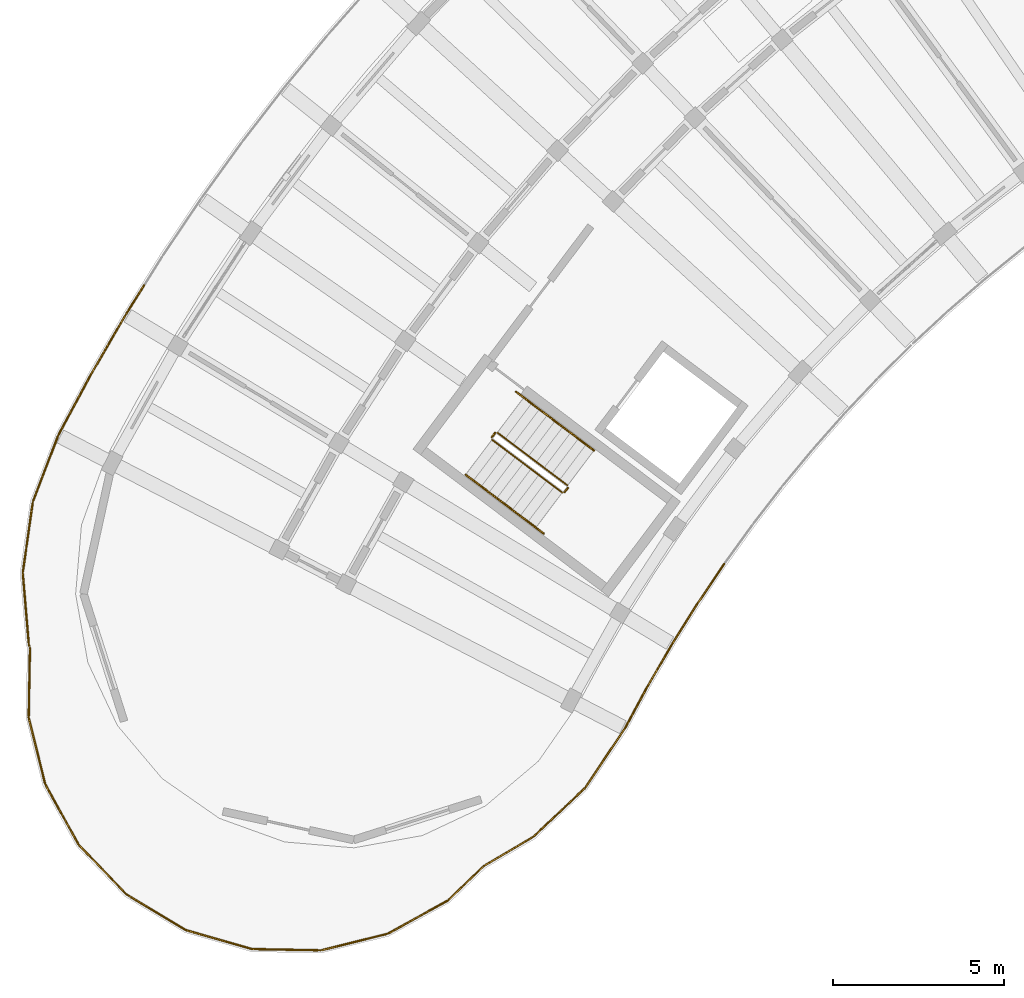
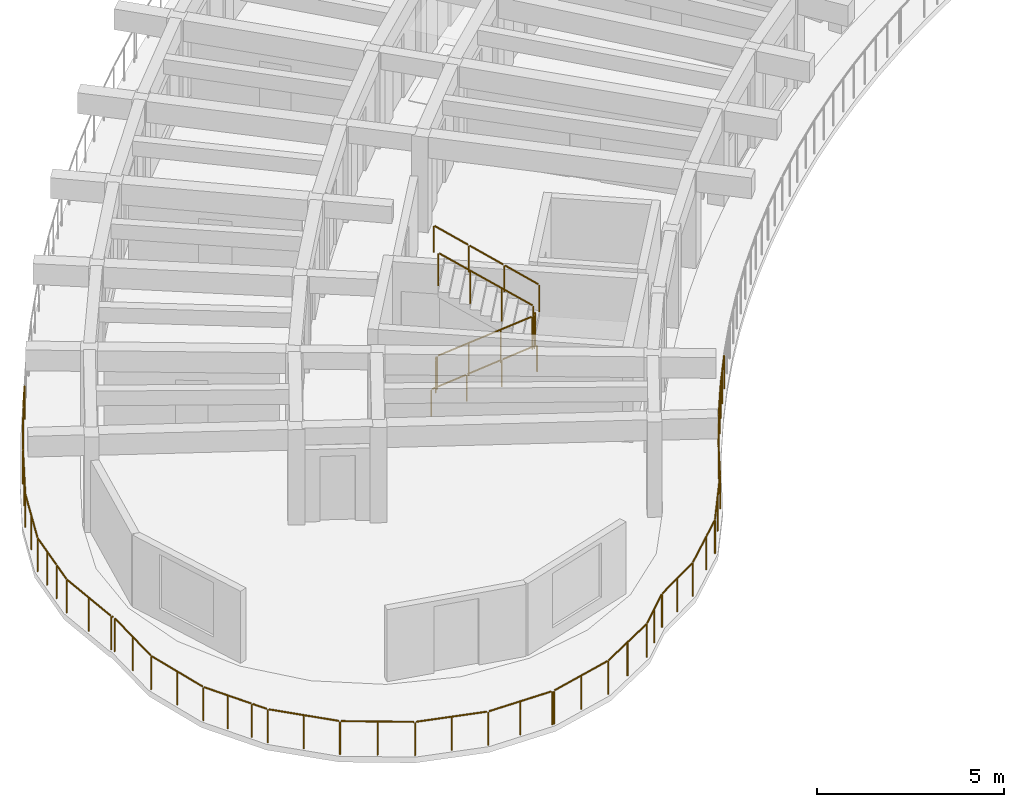
# One storey, part 15 of 19: 15 railings.
"""IFC4 building model written with IfcOpenShell, lengths in metres."""

from ifc_helpers import new_model, si_unit, direction, frame, origin, origin_2d, place, context, subcontext, project, spatial, circle, extrude, material, type_object, element, save


model = new_model("IFC4")

# Units and contexts
model_context = context("Model", 3, precision=1e-05, world=origin(), true_north=direction((0.0, 1.0)))
body_context = subcontext(model_context, "Body", "Model", "MODEL_VIEW")
ifc_project = project(units=[si_unit("LENGTHUNIT", "METRE"), si_unit("AREAUNIT", "SQUARE_METRE"), si_unit("VOLUMEUNIT", "CUBIC_METRE"), si_unit("PLANEANGLEUNIT", "RADIAN"), si_unit("MASSUNIT", "GRAM", prefix="KILO")], contexts=[model_context])

# Site, building, storey
site_placement = place(None, origin())
site = spatial("IfcSite", under=ifc_project, at=site_placement, CompositionType="ELEMENT")
building_placement = place(site_placement, origin())
building = spatial("IfcBuilding", under=site, at=building_placement, Name="Tanwirah Colonnade Gardens", CompositionType="ELEMENT")
storey_placement = place(building_placement, frame((0.0, 0.0, 45.800048828125)))
storey = spatial("IfcBuildingStorey", under=building, at=storey_placement, Name="L13", CompositionType="ELEMENT", Elevation=45.800048828125)

# Railings
ifc_material_1 = material(Name="Precast concrete C40/50", Category="concrete")
railing_type_1 = type_object("IfcRailingType", Name="BAL-EXT112", PredefinedType="BALUSTRADE", material=ifc_material_1)
railing_1_placement = place(storey_placement, frame((29.98291015625, 84.60009765625, 0.0)))
element("IfcRailing", 1, at=railing_1_placement, inside=storey, type_object=railing_type_1, Name="Block A L13 Balcony Ribbon Balustrade 5", PredefinedType="BALUSTRADE", context=body_context, shape_type="SweptSolid", body=[
    extrude(circle(Radius=0.02392578125, at=origin_2d()), frame((-0.017578125, -0.02587890625, 1.09619140625), z_axis=(-0.558381014999, -0.82958462021, 0.0), x_axis=(0.82958462021, -0.558381014999, 0.0)), (0.0, 0.0, 1.0), 1.328369140625),
    extrude(circle(Radius=0.02392578125, at=origin_2d()), frame((-0.794677734375, -1.1826171875, 1.09619140625), z_axis=(-0.530764445851, -0.847519382091, 0.0), x_axis=(0.847519382091, -0.530764445851, 0.0)), (0.0, 0.0, 1.0), 1.341796875),
    extrude(circle(Radius=0.02392578125, at=origin_2d()), frame((-1.54052734375, -2.37548828125, 1.09619140625), z_axis=(-0.502378729104, -0.864647681165, 0.0), x_axis=(0.864647681165, -0.502378729104, 0.0)), (0.0, 0.0, 1.0), 1.342041015625),
    extrude(circle(Radius=0.02392578125, at=origin_2d()), frame((-2.24658203125, -3.592529296875, 1.09619140625), z_axis=(-0.47378794551, -0.880638962736, 0.0), x_axis=(0.880638962736, -0.47378794551, 0.0)), (0.0, 0.0, 1.0), 1.338134765625),
    extrude(circle(Radius=0.02392578125, at=origin_2d()), frame((-2.91259765625, -4.82421875, 1.09619140625), z_axis=(-0.555723141741, -0.831367421622, 0.0), x_axis=(0.831367421622, -0.555723141741, 0.0)), (0.0, 0.0, 1.0), 2.029541015625),
    extrude(circle(Radius=0.02392578125, at=origin_2d()), frame((-4.08056640625, -6.55908203125, 1.09619140625), z_axis=(-0.726962368553, -0.686677300271, 0.0), x_axis=(0.686677300271, -0.726962368553, 0.0)), (0.0, 0.0, 1.0), 0.737548828125),
    extrude(circle(Radius=0.02099609375, at=origin_2d()), origin(), (0.0, 0.0, 1.0), 1.069091796875),
    extrude(circle(Radius=0.02099609375, at=origin_2d()), frame((-0.38818359375, -0.576904296875, 0.0)), (0.0, 0.0, 1.0), 1.069091796875),
    extrude(circle(Radius=0.02099609375, at=origin_2d()), frame((-0.776611328125, -1.15380859375, 0.0)), (0.0, 0.0, 1.0), 1.069091796875),
    extrude(circle(Radius=0.02099609375, at=origin_2d()), frame((-1.15087890625, -1.7509765625, 0.0)), (0.0, 0.0, 1.0), 1.069091796875),
    extrude(circle(Radius=0.02099609375, at=origin_2d()), frame((-1.5234375, -2.34619140625, 0.0)), (0.0, 0.0, 1.0), 1.069091796875),
    extrude(circle(Radius=0.02099609375, at=origin_2d()), frame((-1.877685546875, -2.95556640625, 0.0)), (0.0, 0.0, 1.0), 1.069091796875),
    extrude(circle(Radius=0.02099609375, at=origin_2d()), frame((-2.23046875, -3.562744140625, 0.0)), (0.0, 0.0, 1.0), 1.069091796875),
    extrude(circle(Radius=0.02099609375, at=origin_2d()), frame((-2.5634765625, -4.181640625, 0.0)), (0.0, 0.0, 1.0), 1.069091796875),
    extrude(circle(Radius=0.02099609375, at=origin_2d()), frame((-2.895263671875, -4.79833984375, 0.0)), (0.0, 0.0, 1.0), 1.069091796875),
    extrude(circle(Radius=0.02099609375, at=origin_2d()), frame((-3.4765625, -5.66796875, 0.0)), (0.0, 0.0, 1.0), 1.069091796875),
    extrude(circle(Radius=0.02099609375, at=origin_2d()), frame((-4.057861328125, -6.53759765625, 0.0)), (0.0, 0.0, 1.0), 1.069091796875),
    extrude(circle(Radius=0.02099609375, at=origin_2d()), frame((-4.639404296875, -7.0869140625, 0.0)), (0.0, 0.0, 1.0), 1.069091796875),
])
railing_2_placement = place(storey_placement, frame((25.343505859375, 77.51318359375, 0.0)))
element("IfcRailing", 2, at=railing_2_placement, inside=storey, type_object=railing_type_1, Name="Block A L13 Balcony Ribbon Balustrade 6", PredefinedType="BALUSTRADE", context=body_context, shape_type="SweptSolid", body=[
    extrude(circle(Radius=0.02392578125, at=origin_2d()), frame((-0.022705078125, -0.021484375, 1.09619140625), z_axis=(-0.726744792271, -0.68690756795, 0.0), x_axis=(0.68690756795, -0.726744792271, 0.0)), (0.0, 0.0, 1.0), 1.224365234375),
    extrude(circle(Radius=0.02392578125, at=origin_2d()), frame((-0.962158203125, -0.89990234375, 1.09619140625), z_axis=(-0.86138556566, -0.507951678088, 0.0), x_axis=(0.507951678088, -0.86138556566, 0.0)), (0.0, 0.0, 1.0), 1.609130859375),
    extrude(circle(Radius=0.02392578125, at=origin_2d()), frame((-2.41259765625, -1.76611328125, 1.09619140625), z_axis=(-0.719983739204, -0.693990933141, 0.0), x_axis=(0.693990933141, -0.719983739204, 0.0)), (0.0, 0.0, 1.0), 1.37451171875),
    extrude(circle(Radius=0.02392578125, at=origin_2d()), frame((-3.4521484375, -2.7568359375, 1.09619140625), z_axis=(-0.875070070195, -0.483996252309, 0.0), x_axis=(0.483996252309, -0.875070070195, 0.0)), (0.0, 0.0, 1.0), 1.95263671875),
    extrude(circle(Radius=0.02392578125, at=origin_2d()), frame((-5.218505859375, -3.724609375, 1.09619140625), z_axis=(-0.970533189383, -0.24096748392, 0.0), x_axis=(0.24096748392, -0.970533189383, 0.0)), (0.0, 0.0, 1.0), 1.95263671875),
    extrude(circle(Radius=0.02099609375, at=origin_2d()), origin(), (0.0, 0.0, 1.0), 1.069091796875),
    extrude(circle(Radius=0.02099609375, at=origin_2d()), frame((-0.935302734375, -0.884033203125, 0.0)), (0.0, 0.0, 1.0), 1.069091796875),
    extrude(circle(Radius=0.02099609375, at=origin_2d()), frame((-1.6552734375, -1.30859375, 0.0)), (0.0, 0.0, 1.0), 1.069091796875),
    extrude(circle(Radius=0.02099609375, at=origin_2d()), frame((-2.375244140625, -1.733154296875, 0.0)), (0.0, 0.0, 1.0), 1.069091796875),
    extrude(circle(Radius=0.02099609375, at=origin_2d()), frame((-2.907470703125, -2.2431640625, 0.0)), (0.0, 0.0, 1.0), 1.069091796875),
    extrude(circle(Radius=0.02099609375, at=origin_2d()), frame((-3.4248046875, -2.74169921875, 0.0)), (0.0, 0.0, 1.0), 1.069091796875),
    extrude(circle(Radius=0.02099609375, at=origin_2d()), frame((-4.306640625, -3.2294921875, 0.0)), (0.0, 0.0, 1.0), 1.069091796875),
    extrude(circle(Radius=0.02099609375, at=origin_2d()), frame((-5.188232421875, -3.717041015625, 0.0)), (0.0, 0.0, 1.0), 1.069091796875),
    extrude(circle(Radius=0.02099609375, at=origin_2d()), frame((-6.166015625, -3.9599609375, 0.0)), (0.0, 0.0, 1.0), 1.069091796875),
    extrude(circle(Radius=0.02099609375, at=origin_2d()), frame((-7.14404296875, -4.20263671875, 0.0)), (0.0, 0.0, 1.0), 1.069091796875),
])
railing_3_placement = place(storey_placement, frame((18.14404296875, 73.311767578125, 0.0)))
element("IfcRailing", 3, at=railing_3_placement, inside=storey, type_object=railing_type_1, Name="Block A L13 Balcony Ribbon Balustrade 7", PredefinedType="BALUSTRADE", context=body_context, shape_type="SweptSolid", body=[
    extrude(circle(Radius=0.02392578125, at=origin_2d()), frame((-0.03125, 0.00048828125, 1.09619140625), z_axis=(-0.999832313881, 0.018312403456, 0.0), x_axis=(-0.018312403456, -0.999832313881, 0.0)), (0.0, 0.0, 1.0), 1.897216796875),
    extrude(circle(Radius=0.02392578125, at=origin_2d()), frame((-1.989501953125, 0.04443359375, 1.09619140625), z_axis=(-0.960987222191, 0.276592767053, 0.0), x_axis=(-0.276592767053, -0.960987222191, 0.0)), (0.0, 0.0, 1.0), 1.95263671875),
    extrude(circle(Radius=0.02392578125, at=origin_2d()), frame((-3.9228515625, 0.609375, 1.09619140625), z_axis=(-0.856668704566, 0.515866969883, 0.0), x_axis=(-0.515866969883, -0.856668704566, 0.0)), (0.0, 0.0, 1.0), 1.95263671875),
    extrude(circle(Radius=0.02392578125, at=origin_2d()), frame((-5.64404296875, 1.6552734375, 1.09619140625), z_axis=(-0.693962909965, 0.720010749637, 0.0), x_axis=(-0.720010749637, -0.693962909965, 0.0)), (0.0, 0.0, 1.0), 1.95263671875),
    extrude(circle(Radius=0.02392578125, at=origin_2d()), frame((-7.035888671875, 3.111083984375, 1.09619140625), z_axis=(-0.483755768056, 0.875203037513, 0.0), x_axis=(-0.875203037513, -0.483755768056, 0.0)), (0.0, 0.0, 1.0), 0.43212890625),
    extrude(circle(Radius=0.02099609375, at=origin_2d()), origin(), (0.0, 0.0, 1.0), 1.069091796875),
    extrude(circle(Radius=0.02099609375, at=origin_2d()), frame((-0.979736328125, 0.01806640625, 0.0)), (0.0, 0.0, 1.0), 1.069091796875),
    extrude(circle(Radius=0.02099609375, at=origin_2d()), frame((-1.95947265625, 0.035888671875, 0.0)), (0.0, 0.0, 1.0), 1.069091796875),
    extrude(circle(Radius=0.02099609375, at=origin_2d()), frame((-2.927734375, 0.314453125, 0.0)), (0.0, 0.0, 1.0), 1.069091796875),
    extrude(circle(Radius=0.02099609375, at=origin_2d()), frame((-3.89599609375, 0.59326171875, 0.0)), (0.0, 0.0, 1.0), 1.069091796875),
    extrude(circle(Radius=0.02099609375, at=origin_2d()), frame((-4.75927734375, 1.113037109375, 0.0)), (0.0, 0.0, 1.0), 1.069091796875),
    extrude(circle(Radius=0.02099609375, at=origin_2d()), frame((-5.622314453125, 1.6328125, 0.0)), (0.0, 0.0, 1.0), 1.069091796875),
    extrude(circle(Radius=0.02099609375, at=origin_2d()), frame((-6.321533203125, 2.3583984375, 0.0)), (0.0, 0.0, 1.0), 1.069091796875),
    extrude(circle(Radius=0.02099609375, at=origin_2d()), frame((-7.020751953125, 3.083740234375, 0.0)), (0.0, 0.0, 1.0), 1.069091796875),
    extrude(circle(Radius=0.02099609375, at=origin_2d()), frame((-7.260009765625, 3.5166015625, 0.0)), (0.0, 0.0, 1.0), 1.069091796875),
])
railing_4_placement = place(storey_placement, frame((10.884033203125, 76.828369140625, 0.0)))
element("IfcRailing", 4, at=railing_4_placement, inside=storey, type_object=railing_type_1, Name="Block A L13 Balcony Ribbon Balustrade 8", PredefinedType="BALUSTRADE", context=body_context, shape_type="SweptSolid", body=[
    extrude(circle(Radius=0.02392578125, at=origin_2d()), frame((-0.01513671875, 0.02734375, 1.09619140625), z_axis=(-0.483951516206, 0.875094811984, 0.0), x_axis=(-0.875094811984, -0.483951516206, 0.0)), (0.0, 0.0, 1.0), 1.4580078125),
    extrude(circle(Radius=0.02392578125, at=origin_2d()), frame((-0.743408203125, 1.36083984375, 1.09619140625), z_axis=(-0.241081594371, 0.970504850506, 0.0), x_axis=(-0.970504850506, -0.241081594371, 0.0)), (0.0, 0.0, 1.0), 1.95263671875),
    extrude(circle(Radius=0.02392578125, at=origin_2d()), frame((-1.22119140625, 3.317626953125, 1.09619140625), z_axis=(0.018463961082, 0.99982952654, 0.0), x_axis=(-0.99982952654, 0.018463961082, 0.0)), (0.0, 0.0, 1.0), 1.96044921875),
    extrude(circle(Radius=0.02392578125, at=origin_2d()), frame((-1.197509765625, 5.364501953125, 1.09619140625), z_axis=(-0.303302230784, 0.952894410101, 0.0), x_axis=(-0.952894410101, -0.303302230784, 0.0)), (0.0, 0.0, 1.0), 0.039794921875),
    extrude(circle(Radius=0.02392578125, at=origin_2d()), frame((-1.2216796875, 5.46337890625, 1.09619140625), z_axis=(-0.08387805951, 0.996476026371, 0.0), x_axis=(-0.996476026371, -0.08387805951, 0.0)), (0.0, 0.0, 1.0), 2.0244140625),
    extrude(circle(Radius=0.02392578125, at=origin_2d()), frame((-1.3896484375, 7.542724609375, 1.09619140625), z_axis=(0.140197462175, 0.990123563804, 0.0), x_axis=(-0.990123563804, 0.140197462175, 0.0)), (0.0, 0.0, 1.0), 0.66357421875),
    extrude(circle(Radius=0.02099609375, at=origin_2d()), origin(), (0.0, 0.0, 1.0), 1.069091796875),
    extrude(circle(Radius=0.02099609375, at=origin_2d()), frame((-0.367919921875, 0.665283203125, 0.0)), (0.0, 0.0, 1.0), 1.069091796875),
    extrude(circle(Radius=0.02099609375, at=origin_2d()), frame((-0.73583984375, 1.33056640625, 0.0)), (0.0, 0.0, 1.0), 1.069091796875),
    extrude(circle(Radius=0.02099609375, at=origin_2d()), frame((-0.978759765625, 2.30859375, 0.0)), (0.0, 0.0, 1.0), 1.069091796875),
    extrude(circle(Radius=0.02099609375, at=origin_2d()), frame((-1.2216796875, 3.286376953125, 0.0)), (0.0, 0.0, 1.0), 1.069091796875),
    extrude(circle(Radius=0.02099609375, at=origin_2d()), frame((-1.203125, 4.2978515625, 0.0)), (0.0, 0.0, 1.0), 1.069091796875),
    extrude(circle(Radius=0.02099609375, at=origin_2d()), frame((-1.184326171875, 5.30908203125, 0.0)), (0.0, 0.0, 1.0), 1.069091796875),
    extrude(circle(Radius=0.02099609375, at=origin_2d()), frame((-1.218994140625, 5.43212890625, 0.0)), (0.0, 0.0, 1.0), 1.069091796875),
    extrude(circle(Radius=0.02099609375, at=origin_2d()), frame((-1.306640625, 6.471923828125, 0.0)), (0.0, 0.0, 1.0), 1.069091796875),
    extrude(circle(Radius=0.02099609375, at=origin_2d()), frame((-1.39404296875, 7.51171875, 0.0)), (0.0, 0.0, 1.0), 1.069091796875),
    extrude(circle(Radius=0.02099609375, at=origin_2d()), frame((-1.292236328125, 8.230712890625, 0.0)), (0.0, 0.0, 1.0), 1.069091796875),
])
railing_5_placement = place(storey_placement, frame((9.591796875, 85.05908203125, 0.0)))
element("IfcRailing", 5, at=railing_5_placement, inside=storey, type_object=railing_type_1, Name="Block A L13 Balcony Ribbon Balustrade 9", PredefinedType="BALUSTRADE", context=body_context, shape_type="SweptSolid", body=[
    extrude(circle(Radius=0.02392578125, at=origin_2d()), frame((0.00439453125, 0.031005859375, 1.09619140625), z_axis=(0.139964140462, 0.990156573166, 0.0), x_axis=(-0.990156573166, 0.139964140462, 0.0)), (0.0, 0.0, 1.0), 1.298095703125),
    extrude(circle(Radius=0.02392578125, at=origin_2d()), frame((0.20166015625, 1.37646484375, 1.09619140625), z_axis=(0.356747891144, 0.934200696941, 0.0), x_axis=(-0.934200696941, 0.356747891144, 0.0)), (0.0, 0.0, 1.0), 2.028076171875),
    extrude(circle(Radius=0.02392578125, at=origin_2d()), frame((0.951171875, 3.327880859375, 1.09619140625), z_axis=(0.473825613397, 0.880618696196, 0.0), x_axis=(-0.880618696196, 0.473825613397, 0.0)), (0.0, 0.0, 1.0), 1.955322265625),
    extrude(circle(Radius=0.02392578125, at=origin_2d()), frame((1.907958984375, 5.104248046875, 1.09619140625), z_axis=(0.502421024862, 0.864623105045, 0.0), x_axis=(-0.864623105045, 0.502421024862, 0.0)), (0.0, 0.0, 1.0), 1.958984375),
    extrude(circle(Radius=0.02392578125, at=origin_2d()), frame((2.924560546875, 6.8515625, 1.09619140625), z_axis=(0.530759457963, 0.847522505768, 0.0), x_axis=(-0.847522505768, 0.530759457963, 0.0)), (0.0, 0.0, 1.0), 0.947021484375),
    extrude(circle(Radius=0.02099609375, at=origin_2d()), origin(), (0.0, 0.0, 1.0), 1.069091796875),
    extrude(circle(Radius=0.02099609375, at=origin_2d()), frame((0.09521484375, 0.673583984375, 0.0)), (0.0, 0.0, 1.0), 1.069091796875),
    extrude(circle(Radius=0.02099609375, at=origin_2d()), frame((0.1904296875, 1.34716796875, 0.0)), (0.0, 0.0, 1.0), 1.069091796875),
    extrude(circle(Radius=0.02099609375, at=origin_2d()), frame((0.5634765625, 2.32373046875, 0.0)), (0.0, 0.0, 1.0), 1.069091796875),
    extrude(circle(Radius=0.02099609375, at=origin_2d()), frame((0.936279296875, 3.30029296875, 0.0)), (0.0, 0.0, 1.0), 1.069091796875),
    extrude(circle(Radius=0.02099609375, at=origin_2d()), frame((1.414306640625, 4.188720703125, 0.0)), (0.0, 0.0, 1.0), 1.069091796875),
    extrude(circle(Radius=0.02099609375, at=origin_2d()), frame((1.892333984375, 5.0771484375, 0.0)), (0.0, 0.0, 1.0), 1.069091796875),
    extrude(circle(Radius=0.02099609375, at=origin_2d()), frame((2.400146484375, 5.951171875, 0.0)), (0.0, 0.0, 1.0), 1.069091796875),
    extrude(circle(Radius=0.02099609375, at=origin_2d()), frame((2.907958984375, 6.824951171875, 0.0)), (0.0, 0.0, 1.0), 1.069091796875),
    extrude(circle(Radius=0.02099609375, at=origin_2d()), frame((3.44384765625, 7.6806640625, 0.0)), (0.0, 0.0, 1.0), 1.069091796875),
])
ifc_material_2 = material(Name="Powder-coated galvanized steel", Category="steel")
railing_type_2 = type_object("IfcRailingType", Name="GRD-ST110", PredefinedType="GUARDRAIL", material=ifc_material_2)
railing_6_placement = place(storey_placement, frame((23.201416015625, 88.22900390625, 0.16796875)))
element("IfcRailing", 6, at=railing_6_placement, inside=storey, type_object=railing_type_2, Name="L13 ST-A2 stair guard 1", PredefinedType="GUARDRAIL", context=body_context, shape_type="SweptSolid", body=[
    extrude(circle(Radius=0.02392578125, at=origin_2d()), frame((0.021484375, -0.01611328125, 1.092041015625), z_axis=(0.688012363654, -0.518448596756, 0.507789365762), x_axis=(0.601810650199, 0.798638805285, 0.0)), (0.0, 0.0, 1.0), 2.9150390625),
    extrude(circle(Radius=0.02099609375, at=origin_2d()), origin(), (0.0, 0.0, 1.0), 1.049072265625),
    extrude(circle(Radius=0.02099609375, at=origin_2d()), frame((0.682861328125, -0.5146484375, 0.50390625)), (0.0, 0.0, 1.0), 1.049072265625),
    extrude(circle(Radius=0.02099609375, at=origin_2d()), frame((1.36572265625, -1.029052734375, 1.008056640625)), (0.0, 0.0, 1.0), 1.049072265625),
    extrude(circle(Radius=0.02099609375, at=origin_2d()), frame((2.048583984375, -1.543701171875, 1.511962890625)), (0.0, 0.0, 1.0), 1.049072265625),
])
railing_7_placement = place(storey_placement, frame((25.320068359375, 86.695068359375, 1.679931640625)))
element("IfcRailing", 7, at=railing_7_placement, inside=storey, type_object=railing_type_2, Name="L13 ST-A2 stair guard 2", PredefinedType="GUARDRAIL", context=body_context, shape_type="SweptSolid", body=[
    extrude(circle(Radius=0.02392578125, at=origin_2d()), frame((0.018798828125, 0.02490234375, 1.076171875), z_axis=(0.600975757569, 0.799267251183, 0.0), x_axis=(-0.799267251183, 0.600975757569, 0.0)), (0.0, 0.0, 1.0), 0.09765625),
    extrude(circle(Radius=0.02099609375, at=origin_2d()), origin(), (0.0, 0.0, 1.0), 1.049072265625),
    extrude(circle(Radius=0.02099609375, at=origin_2d()), frame((0.09619140625, 0.1279296875, 0.0)), (0.0, 0.0, 1.0), 1.049072265625),
])
railing_8_placement = place(storey_placement, frame((25.406494140625, 86.89306640625, 1.847900390625)))
element("IfcRailing", 8, at=railing_8_placement, inside=storey, type_object=railing_type_2, Name="L13 ST-A2 stair guard 3", PredefinedType="GUARDRAIL", context=body_context, shape_type="SweptSolid", body=[
    extrude(circle(Radius=0.02392578125, at=origin_2d()), frame((-0.021484375, 0.01611328125, 1.092041015625), z_axis=(-0.688041610417, 0.518388637952, 0.507810951414), x_axis=(-0.60174993816, -0.798684550949, 0.0)), (0.0, 0.0, 1.0), 2.914794921875),
    extrude(circle(Radius=0.02099609375, at=origin_2d()), origin(), (0.0, 0.0, 1.0), 1.049072265625),
    extrude(circle(Radius=0.02099609375, at=origin_2d()), frame((-0.682861328125, 0.514404296875, 0.50390625)), (0.0, 0.0, 1.0), 1.049072265625),
    extrude(circle(Radius=0.02099609375, at=origin_2d()), frame((-1.36572265625, 1.029052734375, 1.008056640625)), (0.0, 0.0, 1.0), 1.049072265625),
    extrude(circle(Radius=0.02099609375, at=origin_2d()), frame((-2.048583984375, 1.54345703125, 1.511962890625)), (0.0, 0.0, 1.0), 1.049072265625),
])
railing_9_placement = place(storey_placement, frame((23.191650390625, 88.299072265625, 0.0)))
element("IfcRailing", 9, at=railing_9_placement, inside=storey, type_object=railing_type_2, Name="L13 ST-A2 stair guard 4", PredefinedType="GUARDRAIL", context=body_context, shape_type="SweptSolid", body=[
    extrude(circle(Radius=0.02392578125, at=origin_2d()), frame((0.018798828125, 0.02490234375, 1.076171875), z_axis=(0.602681987584, 0.797981467104, 0.0), x_axis=(-0.797981467104, 0.602681987584, 0.0)), (0.0, 0.0, 1.0), 0.097412109375),
    extrude(circle(Radius=0.02099609375, at=origin_2d()), origin(), (0.0, 0.0, 1.0), 1.049072265625),
    extrude(circle(Radius=0.02099609375, at=origin_2d()), frame((0.096435546875, 0.127685546875, 0.0)), (0.0, 0.0, 1.0), 1.049072265625),
])
ifc_material_3 = material(Name="Brushed bronze stainless steel", Category="steel")
railing_type_3 = type_object("IfcRailingType", Name="HR-ST090", PredefinedType="HANDRAIL", material=ifc_material_3)
railing_10_placement = place(storey_placement, frame((22.43115234375, 87.206787109375, 0.16796875)))
element("IfcRailing", 10, at=railing_10_placement, inside=storey, type_object=railing_type_3, Name="L13 ST-A2 stair handrail 1", PredefinedType="HANDRAIL", context=body_context, shape_type="SweptSolid", body=[
    extrude(circle(Radius=0.02392578125, at=origin_2d()), frame((0.021484375, -0.01611328125, 0.891845703125), z_axis=(0.686145346169, -0.517037451972, 0.51173903231), x_axis=(0.601807485929, 0.798641189696, 0.0)), (0.0, 0.0, 1.0), 1.04345703125),
    extrude(circle(Radius=0.02099609375, at=origin_2d()), origin(), (0.0, 0.0, 1.0), 0.848876953125),
    extrude(circle(Radius=0.02099609375, at=origin_2d()), frame((0.7587890625, -0.57177734375, 0.56591796875)), (0.0, 0.0, 1.0), 0.848876953125),
])
railing_11_placement = place(storey_placement, frame((23.18994140625, 86.635009765625, 0.73388671875)))
element("IfcRailing", 11, at=railing_11_placement, inside=storey, type_object=railing_type_3, Name="L13 ST-A2 stair handrail 2", PredefinedType="HANDRAIL", context=body_context, shape_type="SweptSolid", body=[
    extrude(circle(Radius=0.02392578125, at=origin_2d()), frame((0.021484375, -0.01611328125, 0.891845703125), z_axis=(0.686067825084, -0.516979036791, 0.511901958292), x_axis=(0.601807485929, 0.798641189696, 0.0)), (0.0, 0.0, 1.0), 1.04345703125),
    extrude(circle(Radius=0.02099609375, at=origin_2d()), origin(), (0.0, 0.0, 1.0), 0.848876953125),
    extrude(circle(Radius=0.02099609375, at=origin_2d()), frame((0.7587890625, -0.57177734375, 0.566162109375)), (0.0, 0.0, 1.0), 0.848876953125),
])
railing_12_placement = place(storey_placement, frame((23.94873046875, 86.063232421875, 1.300048828125)))
element("IfcRailing", 12, at=railing_12_placement, inside=storey, type_object=railing_type_3, Name="L13 ST-A2 stair handrail 3", PredefinedType="HANDRAIL", context=body_context, shape_type="SweptSolid", body=[
    extrude(circle(Radius=0.02392578125, at=origin_2d()), frame((0.021484375, -0.01611328125, 0.891845703125), z_axis=(0.686028488458, -0.517115777267, 0.511816554955), x_axis=(0.601931007785, 0.798548096152, 0.0)), (0.0, 0.0, 1.0), 1.043212890625),
    extrude(circle(Radius=0.02099609375, at=origin_2d()), origin(), (0.0, 0.0, 1.0), 0.848876953125),
    extrude(circle(Radius=0.02099609375, at=origin_2d()), frame((0.758544921875, -0.57177734375, 0.56591796875)), (0.0, 0.0, 1.0), 0.848876953125),
])
railing_13_placement = place(storey_placement, frame((26.1767578125, 87.915283203125, 1.847900390625)))
element("IfcRailing", 13, at=railing_13_placement, inside=storey, type_object=railing_type_3, Name="L13 ST-A2 stair handrail 4", PredefinedType="HANDRAIL", context=body_context, shape_type="SweptSolid", body=[
    extrude(circle(Radius=0.02392578125, at=origin_2d()), frame((-0.021484375, 0.01611328125, 0.891845703125), z_axis=(-0.685950957095, 0.517057335538, 0.511979488092), x_axis=(-0.601931007785, -0.798548096152, 0.0)), (0.0, 0.0, 1.0), 1.043212890625),
    extrude(circle(Radius=0.02099609375, at=origin_2d()), origin(), (0.0, 0.0, 1.0), 0.848876953125),
    extrude(circle(Radius=0.02099609375, at=origin_2d()), frame((-0.758544921875, 0.57177734375, 0.566162109375)), (0.0, 0.0, 1.0), 0.848876953125),
])
railing_14_placement = place(storey_placement, frame((25.418212890625, 88.487060546875, 2.4140625)))
element("IfcRailing", 14, at=railing_14_placement, inside=storey, type_object=railing_type_3, Name="L13 ST-A2 stair handrail 5", PredefinedType="HANDRAIL", context=body_context, shape_type="SweptSolid", body=[
    extrude(circle(Radius=0.02392578125, at=origin_2d()), frame((-0.021484375, 0.01611328125, 0.891845703125), z_axis=(-0.686223662955, 0.51687567406, 0.51179744232), x_axis=(-0.601643549736, -0.798764695677, 0.0)), (0.0, 0.0, 1.0), 1.043212890625),
    extrude(circle(Radius=0.02099609375, at=origin_2d()), origin(), (0.0, 0.0, 1.0), 0.848876953125),
    extrude(circle(Radius=0.02099609375, at=origin_2d()), frame((-0.7587890625, 0.571533203125, 0.56591796875)), (0.0, 0.0, 1.0), 0.848876953125),
])
railing_15_placement = place(storey_placement, frame((24.659423828125, 89.05859375, 2.97998046875)))
element("IfcRailing", 15, at=railing_15_placement, inside=storey, type_object=railing_type_3, Name="L13 ST-A2 stair handrail 6", PredefinedType="HANDRAIL", context=body_context, shape_type="SweptSolid", body=[
    extrude(circle(Radius=0.02392578125, at=origin_2d()), frame((-0.021484375, 0.01611328125, 0.891845703125), z_axis=(-0.686145346169, 0.517037451972, 0.51173903231), x_axis=(-0.601807485929, -0.798641189696, 0.0)), (0.0, 0.0, 1.0), 1.04345703125),
    extrude(circle(Radius=0.02099609375, at=origin_2d()), origin(), (0.0, 0.0, 1.0), 0.848876953125),
    extrude(circle(Radius=0.02099609375, at=origin_2d()), frame((-0.7587890625, 0.57177734375, 0.56591796875)), (0.0, 0.0, 1.0), 0.848876953125),
])

save(model, "model.ifc")
